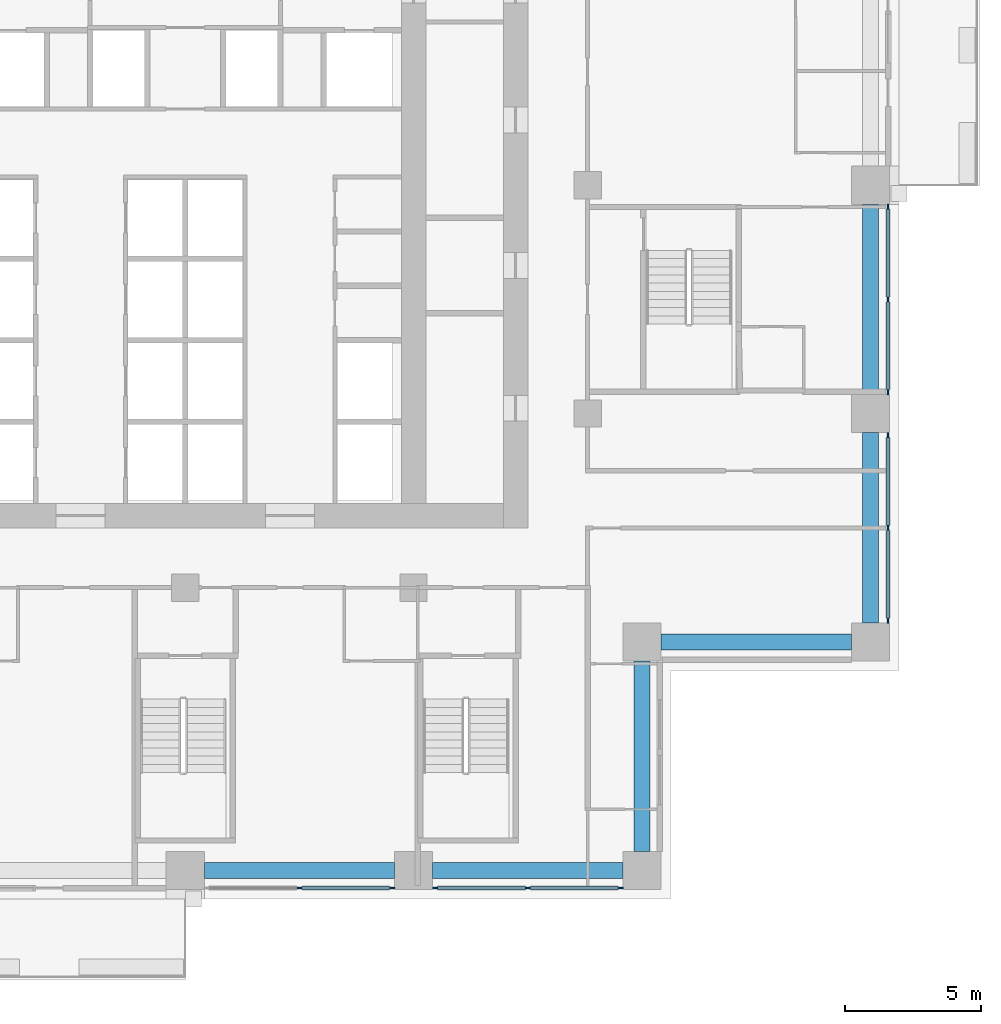
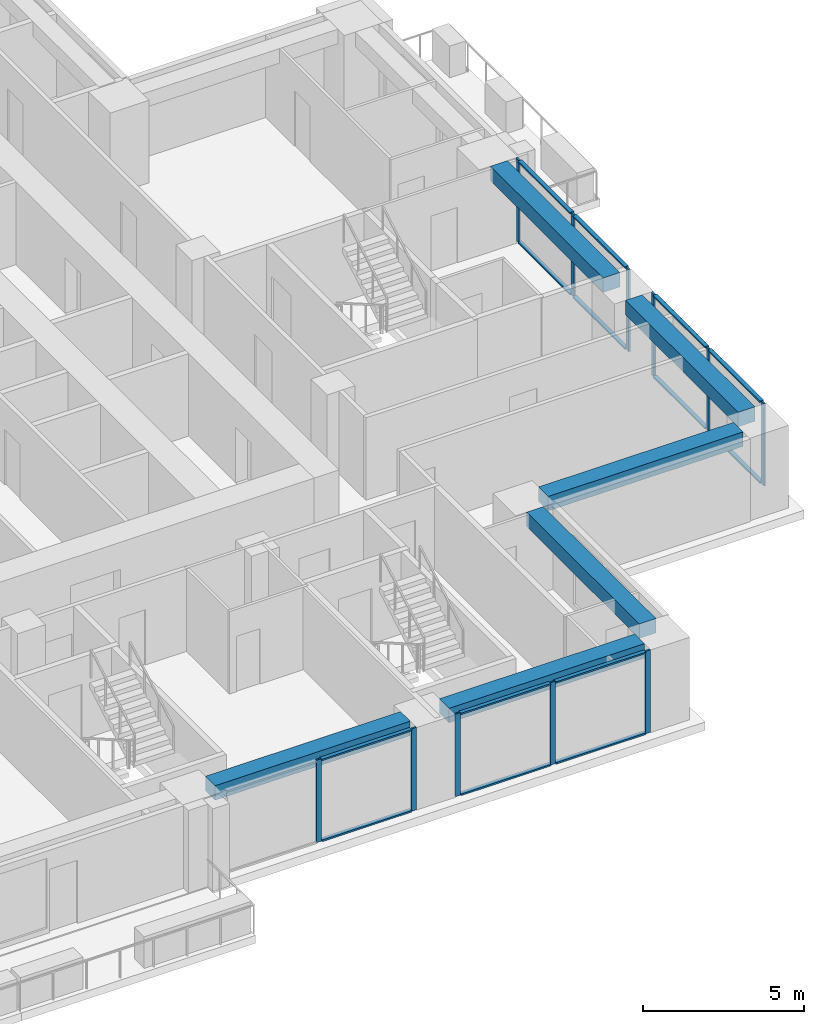
# One storey, part 4 of 16: 25 members, 6 beams, 4 elements without a shape of their own.
"""IFC4 building model written with IfcOpenShell, lengths in metres."""

from ifc_helpers import new_model, si_unit, direction, frame, origin, origin_2d, place, context, subcontext, project, spatial, rectangle, extrude, material, material_profile, profile_set, type_object, element, aggregate, save


model = new_model("IFC4")

# Units and contexts
model_context = context("Model", 3, precision=1e-05, world=origin(), true_north=direction((0.0, 1.0)))
body_context = subcontext(model_context, "Body", "Model", "MODEL_VIEW")
ifc_project = project(units=[si_unit("LENGTHUNIT", "METRE"), si_unit("AREAUNIT", "SQUARE_METRE"), si_unit("VOLUMEUNIT", "CUBIC_METRE"), si_unit("PLANEANGLEUNIT", "RADIAN"), si_unit("MASSUNIT", "GRAM", prefix="KILO")], contexts=[model_context])

# Site, building, storey
site_placement = place(None, origin())
site = spatial("IfcSite", under=ifc_project, at=site_placement, CompositionType="ELEMENT")
building_placement = place(site_placement, origin())
building = spatial("IfcBuilding", under=site, at=building_placement, Name="Vermilion Ogive Tower", CompositionType="ELEMENT")
storey_placement = place(building_placement, frame((0.0, 0.0, 44.85009765625)))
storey = spatial("IfcBuildingStorey", under=building, at=storey_placement, Name="L09", CompositionType="ELEMENT", Elevation=44.85009765625)

# Curtain wall, members
ifc_material_1 = material(Name="Low-iron laminated glazing in aluminium frame", Category="aluminium")
curtain_wall_type = type_object("IfcCurtainWallType", Name="Curtain wall CW7", PredefinedType="NOTDEFINED", material=ifc_material_1)
curtain_wall_1_placement = place(storey_placement, origin())
curtain_wall_1 = element("IfcCurtainWall", 1, at=curtain_wall_1_placement, inside=storey, type_object=curtain_wall_type, Name="Glazed skin S3", PredefinedType="NOTDEFINED")
ifc_material_2 = material(Name="Aluminium mullion", Category="aluminium")
ifc_material_profile_1 = material_profile(ifc_material_2, rectangle(XDim=0.06005859375, YDim=0.179931640625, at=origin_2d()), Name="AL 60x180")
ifc_profile_set_1 = profile_set([ifc_material_profile_1], Name="Aluminium mullion")
member_type_1 = type_object("IfcMemberType", Name="CW7 mullion 60x180", PredefinedType="MULLION", material=ifc_profile_set_1)
member_1_placement = place(storey_placement, frame((4.199951171875, -21.64990234375, 0.0), z_axis=(0.0, 0.0, 1.0), x_axis=(0.0, 1.0, 0.0)))
member_1 = element("IfcMember", 2, at=member_1_placement, type_object=member_type_1, Name="CW7-S3 mullion 2", PredefinedType="MULLION", context=body_context, shape_type="SweptSolid", body=[
    extrude(rectangle(XDim=0.06005859375, YDim=0.179931640625, at=origin_2d()), origin(), (0.0, 0.0, 1.0), 3.1298828125),
])
member_2_placement = place(storey_placement, frame((7.610107421875, -21.64990234375, 0.0), z_axis=(0.0, 0.0, 1.0), x_axis=(0.0, 1.0, 0.0)))
member_2 = element("IfcMember", 3, at=member_2_placement, type_object=member_type_1, Name="CW7-S3 mullion 3", PredefinedType="MULLION", context=body_context, shape_type="SweptSolid", body=[
    extrude(rectangle(XDim=0.06005859375, YDim=0.179931640625, at=origin_2d()), origin(), (0.0, 0.0, 1.0), 3.1298828125),
])

curtain_wall_2_placement = place(storey_placement, origin())
curtain_wall_2 = element("IfcCurtainWall", 4, at=curtain_wall_2_placement, inside=storey, type_object=curtain_wall_type, Name="Glazed skin S4", PredefinedType="NOTDEFINED")
member_3_placement = place(storey_placement, frame((9.18994140625, -21.64990234375, 0.0), z_axis=(0.0, 0.0, 1.0), x_axis=(0.0, 1.0, 0.0)))
member_3 = element("IfcMember", 5, at=member_3_placement, type_object=member_type_1, Name="CW7-S4 mullion 1", PredefinedType="MULLION", context=body_context, shape_type="SweptSolid", body=[
    extrude(rectangle(XDim=0.06005859375, YDim=0.179931640625, at=origin_2d()), origin(), (0.0, 0.0, 1.0), 3.1298828125),
])
member_4_placement = place(storey_placement, frame((12.60009765625, -21.64990234375, 0.0), z_axis=(0.0, 0.0, 1.0), x_axis=(0.0, 1.0, 0.0)))
member_4 = element("IfcMember", 6, at=member_4_placement, type_object=member_type_1, Name="CW7-S4 mullion 2", PredefinedType="MULLION", context=body_context, shape_type="SweptSolid", body=[
    extrude(rectangle(XDim=0.06005859375, YDim=0.179931640625, at=origin_2d()), origin(), (0.0, 0.0, 1.0), 3.1298828125),
])
member_5_placement = place(storey_placement, frame((16.010009765625, -21.64990234375, 0.0), z_axis=(0.0, 0.0, 1.0), x_axis=(0.0, 1.0, 0.0)))
member_5 = element("IfcMember", 7, at=member_5_placement, type_object=member_type_1, Name="CW7-S4 mullion 3", PredefinedType="MULLION", context=body_context, shape_type="SweptSolid", body=[
    extrude(rectangle(XDim=0.06005859375, YDim=0.179931640625, at=origin_2d()), origin(), (0.0, 0.0, 1.0), 3.1298828125),
])

curtain_wall_3_placement = place(storey_placement, origin())
curtain_wall_3 = element("IfcCurtainWall", 8, at=curtain_wall_3_placement, inside=storey, type_object=curtain_wall_type, Name="Glazed skin E1", PredefinedType="NOTDEFINED")
member_6_placement = place(storey_placement, frame((25.85009765625, -11.81005859375, 0.0), z_axis=(0.0, 0.0, 1.0), x_axis=(-1.0, 0.0, 0.0)))
member_6 = element("IfcMember", 9, at=member_6_placement, type_object=member_type_1, Name="CW7-E1 mullion 1", PredefinedType="MULLION", context=body_context, shape_type="SweptSolid", body=[
    extrude(rectangle(XDim=0.06005859375, YDim=0.179931640625, at=origin_2d()), origin(), (0.0, 0.0, 1.0), 3.1298828125),
])
member_7_placement = place(storey_placement, frame((25.85009765625, -8.39990234375, 0.0), z_axis=(0.0, 0.0, 1.0), x_axis=(-1.0, 0.0, 0.0)))
member_7 = element("IfcMember", 10, at=member_7_placement, type_object=member_type_1, Name="CW7-E1 mullion 2", PredefinedType="MULLION", context=body_context, shape_type="SweptSolid", body=[
    extrude(rectangle(XDim=0.06005859375, YDim=0.179931640625, at=origin_2d()), origin(), (0.0, 0.0, 1.0), 3.1298828125),
])
member_8_placement = place(storey_placement, frame((25.85009765625, -4.989990234375, 0.0), z_axis=(0.0, 0.0, 1.0), x_axis=(-1.0, 0.0, 0.0)))
member_8 = element("IfcMember", 11, at=member_8_placement, type_object=member_type_1, Name="CW7-E1 mullion 3", PredefinedType="MULLION", context=body_context, shape_type="SweptSolid", body=[
    extrude(rectangle(XDim=0.06005859375, YDim=0.179931640625, at=origin_2d()), origin(), (0.0, 0.0, 1.0), 3.1298828125),
])

curtain_wall_4_placement = place(storey_placement, origin())
curtain_wall_4 = element("IfcCurtainWall", 12, at=curtain_wall_4_placement, inside=storey, type_object=curtain_wall_type, Name="Glazed skin E2", PredefinedType="NOTDEFINED")
member_9_placement = place(storey_placement, frame((25.85009765625, -3.409912109375, 0.0), z_axis=(0.0, 0.0, 1.0), x_axis=(-1.0, 0.0, 0.0)))
member_9 = element("IfcMember", 13, at=member_9_placement, type_object=member_type_1, Name="CW7-E2 mullion 1", PredefinedType="MULLION", context=body_context, shape_type="SweptSolid", body=[
    extrude(rectangle(XDim=0.06005859375, YDim=0.179931640625, at=origin_2d()), origin(), (0.0, 0.0, 1.0), 3.1298828125),
])
member_10_placement = place(storey_placement, frame((25.85009765625, 0.0, 0.0), z_axis=(0.0, 0.0, 1.0), x_axis=(-1.0, 0.0, 0.0)))
member_10 = element("IfcMember", 14, at=member_10_placement, type_object=member_type_1, Name="CW7-E2 mullion 2", PredefinedType="MULLION", context=body_context, shape_type="SweptSolid", body=[
    extrude(rectangle(XDim=0.06005859375, YDim=0.179931640625, at=origin_2d()), origin(), (0.0, 0.0, 1.0), 3.1298828125),
])
member_11_placement = place(storey_placement, frame((25.85009765625, 3.409912109375, 0.0), z_axis=(0.0, 0.0, 1.0), x_axis=(-1.0, 0.0, 0.0)))
member_11 = element("IfcMember", 15, at=member_11_placement, type_object=member_type_1, Name="CW7-E2 mullion 3", PredefinedType="MULLION", context=body_context, shape_type="SweptSolid", body=[
    extrude(rectangle(XDim=0.06005859375, YDim=0.179931640625, at=origin_2d()), origin(), (0.0, 0.0, 1.0), 3.1298828125),
])

# Member
ifc_material_3 = material(Name="Aluminium transom", Category="aluminium")
ifc_material_profile_2 = material_profile(ifc_material_3, rectangle(XDim=0.139892578125, YDim=0.06005859375, at=origin_2d()), Name="AL 60x140")
ifc_profile_set_2 = profile_set([ifc_material_profile_2], Name="Aluminium transom")
member_type_2 = type_object("IfcMemberType", Name="CW7 transom 60x140", PredefinedType="USERDEFINED", material=ifc_profile_set_2)
member_12_placement = place(storey_placement, frame((4.2900390625, -21.64990234375, 0.02978515625), z_axis=(1.0, 0.0, 0.0), x_axis=(0.0, 1.0, 0.0)))
member_12 = element("IfcMember", 16, at=member_12_placement, type_object=member_type_2, Name="CW7-S3 transom 2.1", ObjectType="TRANSOM", PredefinedType="USERDEFINED", context=body_context, shape_type="SweptSolid", body=[
    extrude(rectangle(XDim=0.139892578125, YDim=0.06005859375, at=origin_2d()), origin(), (0.0, 0.0, 1.0), 3.22998046875),
])

member_13_placement = place(storey_placement, frame((4.2900390625, -21.64990234375, 3.099853515625), z_axis=(1.0, 0.0, 0.0), x_axis=(0.0, 1.0, 0.0)))
member_13 = element("IfcMember", 17, at=member_13_placement, type_object=member_type_2, Name="CW7-S3 transom 2.2", ObjectType="TRANSOM", PredefinedType="USERDEFINED", context=body_context, shape_type="SweptSolid", body=[
    extrude(rectangle(XDim=0.139892578125, YDim=0.06005859375, at=origin_2d()), origin(), (0.0, 0.0, 1.0), 3.22998046875),
])

aggregate(curtain_wall_1, [member_1, member_2, member_12, member_13])

member_14_placement = place(storey_placement, frame((9.280029296875, -21.64990234375, 0.02978515625), z_axis=(1.0, 0.0, 0.0), x_axis=(0.0, 1.0, 0.0)))
member_14 = element("IfcMember", 18, at=member_14_placement, type_object=member_type_2, Name="CW7-S4 transom 1.1", ObjectType="TRANSOM", PredefinedType="USERDEFINED", context=body_context, shape_type="SweptSolid", body=[
    extrude(rectangle(XDim=0.139892578125, YDim=0.06005859375, at=origin_2d()), origin(), (0.0, 0.0, 1.0), 3.22998046875),
])

member_15_placement = place(storey_placement, frame((9.280029296875, -21.64990234375, 3.099853515625), z_axis=(1.0, 0.0, 0.0), x_axis=(0.0, 1.0, 0.0)))
member_15 = element("IfcMember", 19, at=member_15_placement, type_object=member_type_2, Name="CW7-S4 transom 1.2", ObjectType="TRANSOM", PredefinedType="USERDEFINED", context=body_context, shape_type="SweptSolid", body=[
    extrude(rectangle(XDim=0.139892578125, YDim=0.06005859375, at=origin_2d()), origin(), (0.0, 0.0, 1.0), 3.22998046875),
])

member_16_placement = place(storey_placement, frame((12.68994140625, -21.64990234375, 0.02978515625), z_axis=(1.0, 0.0, 0.0), x_axis=(0.0, 1.0, 0.0)))
member_16 = element("IfcMember", 20, at=member_16_placement, type_object=member_type_2, Name="CW7-S4 transom 2.1", ObjectType="TRANSOM", PredefinedType="USERDEFINED", context=body_context, shape_type="SweptSolid", body=[
    extrude(rectangle(XDim=0.139892578125, YDim=0.06005859375, at=origin_2d()), origin(), (0.0, 0.0, 1.0), 3.22998046875),
])

member_17_placement = place(storey_placement, frame((12.68994140625, -21.64990234375, 3.099853515625), z_axis=(1.0, 0.0, 0.0), x_axis=(0.0, 1.0, 0.0)))
member_17 = element("IfcMember", 21, at=member_17_placement, type_object=member_type_2, Name="CW7-S4 transom 2.2", ObjectType="TRANSOM", PredefinedType="USERDEFINED", context=body_context, shape_type="SweptSolid", body=[
    extrude(rectangle(XDim=0.139892578125, YDim=0.06005859375, at=origin_2d()), origin(), (0.0, 0.0, 1.0), 3.22998046875),
])

aggregate(curtain_wall_2, [member_3, member_4, member_5, member_14, member_15, member_16, member_17])

member_18_placement = place(storey_placement, frame((25.85009765625, -11.719970703125, 0.02978515625), z_axis=(0.0, 1.0, 0.0), x_axis=(-1.0, 0.0, 0.0)))
member_18 = element("IfcMember", 22, at=member_18_placement, type_object=member_type_2, Name="CW7-E1 transom 1.1", ObjectType="TRANSOM", PredefinedType="USERDEFINED", context=body_context, shape_type="SweptSolid", body=[
    extrude(rectangle(XDim=0.139892578125, YDim=0.06005859375, at=origin_2d()), origin(), (0.0, 0.0, 1.0), 3.22998046875),
])

member_19_placement = place(storey_placement, frame((25.85009765625, -11.719970703125, 3.099853515625), z_axis=(0.0, 1.0, 0.0), x_axis=(-1.0, 0.0, 0.0)))
member_19 = element("IfcMember", 23, at=member_19_placement, type_object=member_type_2, Name="CW7-E1 transom 1.2", ObjectType="TRANSOM", PredefinedType="USERDEFINED", context=body_context, shape_type="SweptSolid", body=[
    extrude(rectangle(XDim=0.139892578125, YDim=0.06005859375, at=origin_2d()), origin(), (0.0, 0.0, 1.0), 3.22998046875),
])

member_20_placement = place(storey_placement, frame((25.85009765625, -8.31005859375, 0.02978515625), z_axis=(0.0, 1.0, 0.0), x_axis=(-1.0, 0.0, 0.0)))
member_20 = element("IfcMember", 24, at=member_20_placement, type_object=member_type_2, Name="CW7-E1 transom 2.1", ObjectType="TRANSOM", PredefinedType="USERDEFINED", context=body_context, shape_type="SweptSolid", body=[
    extrude(rectangle(XDim=0.139892578125, YDim=0.06005859375, at=origin_2d()), origin(), (0.0, 0.0, 1.0), 3.22998046875),
])

member_21_placement = place(storey_placement, frame((25.85009765625, -8.31005859375, 3.099853515625), z_axis=(0.0, 1.0, 0.0), x_axis=(-1.0, 0.0, 0.0)))
member_21 = element("IfcMember", 25, at=member_21_placement, type_object=member_type_2, Name="CW7-E1 transom 2.2", ObjectType="TRANSOM", PredefinedType="USERDEFINED", context=body_context, shape_type="SweptSolid", body=[
    extrude(rectangle(XDim=0.139892578125, YDim=0.06005859375, at=origin_2d()), origin(), (0.0, 0.0, 1.0), 3.22998046875),
])

aggregate(curtain_wall_3, [member_6, member_7, member_8, member_18, member_19, member_20, member_21])

member_22_placement = place(storey_placement, frame((25.85009765625, -3.320068359375, 0.02978515625), z_axis=(0.0, 1.0, 0.0), x_axis=(-1.0, 0.0, 0.0)))
member_22 = element("IfcMember", 26, at=member_22_placement, type_object=member_type_2, Name="CW7-E2 transom 1.1", ObjectType="TRANSOM", PredefinedType="USERDEFINED", context=body_context, shape_type="SweptSolid", body=[
    extrude(rectangle(XDim=0.139892578125, YDim=0.06005859375, at=origin_2d()), origin(), (0.0, 0.0, 1.0), 3.22998046875),
])

member_23_placement = place(storey_placement, frame((25.85009765625, -3.320068359375, 3.099853515625), z_axis=(0.0, 1.0, 0.0), x_axis=(-1.0, 0.0, 0.0)))
member_23 = element("IfcMember", 27, at=member_23_placement, type_object=member_type_2, Name="CW7-E2 transom 1.2", ObjectType="TRANSOM", PredefinedType="USERDEFINED", context=body_context, shape_type="SweptSolid", body=[
    extrude(rectangle(XDim=0.139892578125, YDim=0.06005859375, at=origin_2d()), origin(), (0.0, 0.0, 1.0), 3.22998046875),
])

member_24_placement = place(storey_placement, frame((25.85009765625, 0.090087890625, 0.02978515625), z_axis=(0.0, 1.0, 0.0), x_axis=(-1.0, 0.0, 0.0)))
member_24 = element("IfcMember", 28, at=member_24_placement, type_object=member_type_2, Name="CW7-E2 transom 2.1", ObjectType="TRANSOM", PredefinedType="USERDEFINED", context=body_context, shape_type="SweptSolid", body=[
    extrude(rectangle(XDim=0.139892578125, YDim=0.06005859375, at=origin_2d()), origin(), (0.0, 0.0, 1.0), 3.22998046875),
])

member_25_placement = place(storey_placement, frame((25.85009765625, 0.090087890625, 3.099853515625), z_axis=(0.0, 1.0, 0.0), x_axis=(-1.0, 0.0, 0.0)))
member_25 = element("IfcMember", 29, at=member_25_placement, type_object=member_type_2, Name="CW7-E2 transom 2.2", ObjectType="TRANSOM", PredefinedType="USERDEFINED", context=body_context, shape_type="SweptSolid", body=[
    extrude(rectangle(XDim=0.139892578125, YDim=0.06005859375, at=origin_2d()), origin(), (0.0, 0.0, 1.0), 3.22998046875),
])

aggregate(curtain_wall_4, [member_9, member_10, member_11, member_22, member_23, member_24, member_25])

# Beams
ifc_material_4 = material(Name="Concrete B45", Category="concrete")
ifc_material_profile_3 = material_profile(ifc_material_4, rectangle(XDim=0.60009765625, YDim=0.550048828125, at=origin_2d()), Name="600 x 550")
ifc_profile_set_3 = profile_set([ifc_material_profile_3], Name="Concrete B45")
beam_type = type_object("IfcBeamType", Name="Edge beam 600 x 550 B45", PredefinedType="BEAM", material=ifc_profile_set_3)
for number, where, z_axis, x_axis, name in (
    (30, (0.699951171875, -21.0, 2.85498046875), (1.0, 0.0, 0.0), (0.0, 1.0, 0.0), "L09-EB-3"),
    (31, (9.10009765625, -21.0, 2.85498046875), (1.0, 0.0, 0.0), (0.0, 1.0, 0.0), "L09-EB-4"),
    (32, (16.800048828125, -20.300048828125, 2.85498046875), (0.0, 1.0, 0.0), (-1.0, 0.0, 0.0), "L09-EB-5"),
    (33, (17.5, -12.60009765625, 2.85498046875), (1.0, 0.0, 0.0), (0.0, 1.0, 0.0), "L09-EB-6"),
    (34, (25.199951171875, -11.89990234375, 2.85498046875), (0.0, 1.0, 0.0), (-1.0, 0.0, 0.0), "L09-EB-7"),
    (35, (25.199951171875, -3.5, 2.85498046875), (0.0, 1.0, 0.0), (-1.0, 0.0, 0.0), "L09-EB-8"),
):
    element("IfcBeam", number, at=place(storey_placement, frame(where, z_axis=z_axis, x_axis=x_axis)), inside=storey, type_object=beam_type, Name=name, PredefinedType="BEAM", context=body_context, shape_type="SweptSolid", body=[
        extrude(rectangle(XDim=0.60009765625, YDim=0.550048828125, at=origin_2d()), origin(), (0.0, 0.0, 1.0), 7.0),
    ])

save(model, "model.ifc")
